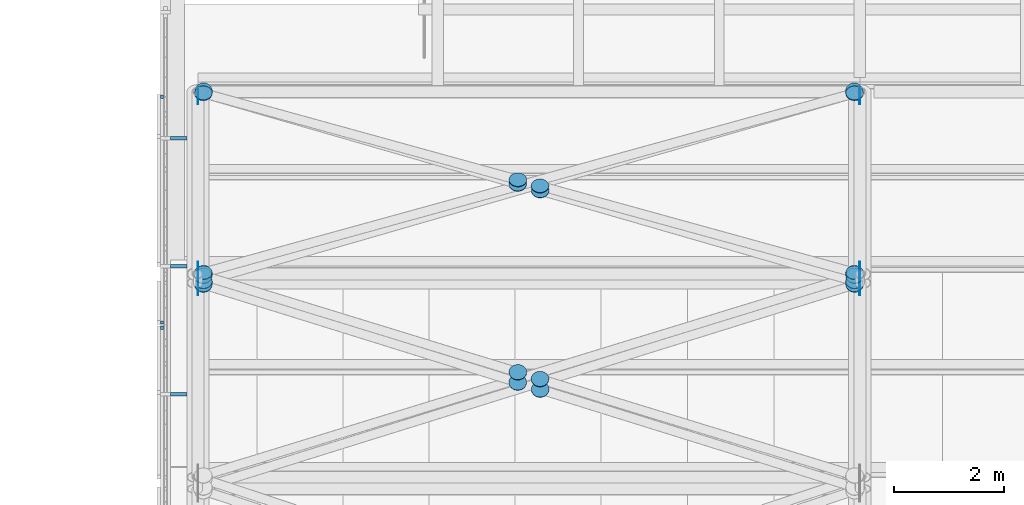
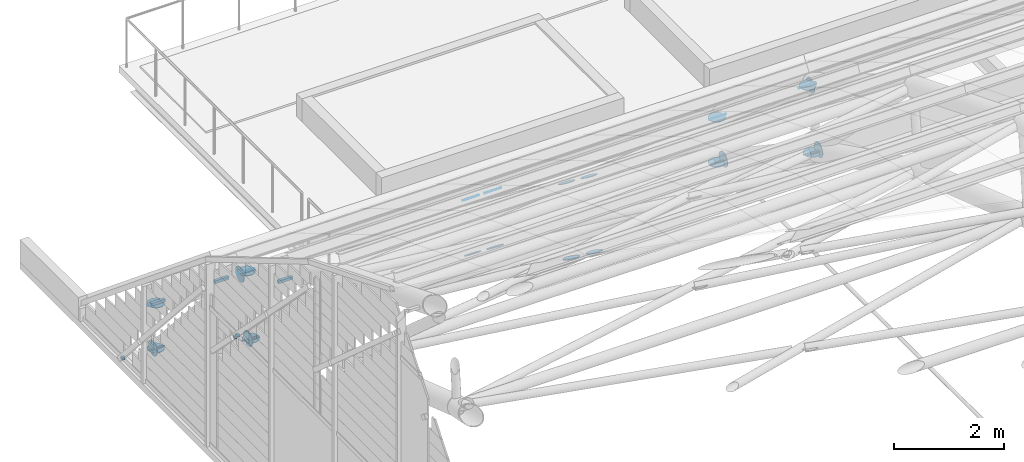
# One storey, part 91 of 110: 40 discrete accessories, 1 element without a shape of its own.
"""IFC4 building model written with IfcOpenShell, lengths in metres."""

from ifc_helpers import new_model, si_unit, direction, frame, origin, origin_2d, place, context, subcontext, project, spatial, rectangle, circle, extrude, material, layer, layer_set, type_object, element, aggregate, save


model = new_model("IFC4")

# Units and contexts
model_context = context("Model", 3, precision=1e-05, world=origin(), true_north=direction((0.0, 1.0)))
body_context = subcontext(model_context, "Body", "Model", "MODEL_VIEW")
ifc_project = project(units=[si_unit("LENGTHUNIT", "METRE"), si_unit("AREAUNIT", "SQUARE_METRE"), si_unit("VOLUMEUNIT", "CUBIC_METRE"), si_unit("PLANEANGLEUNIT", "RADIAN"), si_unit("MASSUNIT", "GRAM", prefix="KILO")], contexts=[model_context])

# Site, building, storey
site_placement = place(None, origin())
site = spatial("IfcSite", under=ifc_project, at=site_placement, CompositionType="ELEMENT")
building_placement = place(site_placement, origin())
building = spatial("IfcBuilding", under=site, at=building_placement, Name="Windward Yard Aquatics Centre", CompositionType="ELEMENT")
storey_placement = place(building_placement, frame((0.0, 0.0, 22.60009765625)))
storey = spatial("IfcBuildingStorey", under=building, at=storey_placement, Name="L05", CompositionType="ELEMENT", Elevation=22.60009765625)

# Discrete accessories
ifc_material_1 = material(Name="Steel S355", Category="steel")
ifc_layer_1 = layer(ifc_material_1, 0.011962890625)
ifc_layer_set_1 = layer_set([ifc_layer_1], Name="Gusset plate 320 mm disc 12 mm")
discrete_accessory_type = type_object("IfcDiscreteAccessoryType", Name="Gusset plate 320 mm disc 12 mm", PredefinedType="USERDEFINED", material=ifc_layer_set_1)
for number, where, z_axis, x_axis, name in (
    (1, (59.993896484375, 76.865234375, 2.390869140625), (1.0, 0.0, 0.0), (0.0, 1.0, 0.0), "Gusset plate"),
    (2, (59.993896484375, 77.158935546875, 3.64306640625), (1.0, 0.0, 0.0), (0.0, 1.0, 0.0), "Gusset plate"),
    (3, (59.993896484375, 80.33349609375, 0.07470703125), (1.0, 0.0, 0.0), (0.0, 1.0, 0.0), "Gusset plate"),
    (4, (71.993896484375, 76.865234375, 2.390869140625), (1.0, 0.0, 0.0), (0.0, 1.0, 0.0), "Gusset plate"),
    (5, (71.993896484375, 77.158935546875, 3.64306640625), (1.0, 0.0, 0.0), (0.0, 1.0, 0.0), "Gusset plate"),
    (6, (71.993896484375, 80.33349609375, 0.07470703125), (1.0, 0.0, 0.0), (0.0, 1.0, 0.0), "Gusset plate"),
):
    element("IfcDiscreteAccessory", number, at=place(storey_placement, frame(where, z_axis=z_axis, x_axis=x_axis)), inside=storey, type_object=discrete_accessory_type, Name=name, ObjectType="GUSSET PLATE", PredefinedType="USERDEFINED", context=body_context, shape_type="SweptSolid", body=[
        extrude(circle(Radius=0.159912109375, at=origin_2d()), origin(), (0.0, 0.0, 1.0), 0.01220703125),
    ])
for number, where, z_axis, x_axis, name in (
    (7, (60.10009765625, 77.092529296875, 3.7119140625), (0.0, 0.0, 1.0), (1.0, 0.0, 0.0), "Gusset plate"),
    (8, (71.89990234375, 77.092529296875, 3.7119140625), (0.0, 0.0, 1.0), (1.0, 0.0, 0.0), "Gusset plate"),
    (9, (60.10009765625, 80.39990234375, 0.993896484375), (0.0, 0.0, 1.0), (1.0, 0.0, 0.0), "Gusset plate"),
    (10, (71.89990234375, 80.39990234375, 0.993896484375), (0.0, 0.0, 1.0), (1.0, 0.0, 0.0), "Gusset plate"),
):
    element("IfcDiscreteAccessory", number, at=place(storey_placement, frame(where, z_axis=z_axis, x_axis=x_axis)), inside=storey, type_object=discrete_accessory_type, Name=name, ObjectType="GUSSET PLATE", PredefinedType="USERDEFINED", context=body_context, shape_type="SweptSolid", body=[
        extrude(circle(Radius=0.159912109375, at=origin_2d()), origin(), (0.0, 0.0, 1.0), 0.011962890625),
    ])
for number, where, z_axis, x_axis, name in (
    (11, (71.90576171875, 77.066650390625, 3.740234375), (0.0, -0.502620457375, -0.864507186684), (1.0, 0.0, 0.0), "Gusset plate"),
    (12, (60.09423828125, 77.066650390625, 3.740234375), (0.0, -0.502620457375, -0.864507186684), (1.0, 0.0, 0.0), "Gusset plate"),
):
    element("IfcDiscreteAccessory", number, at=place(storey_placement, frame(where, z_axis=z_axis, x_axis=x_axis)), inside=storey, type_object=discrete_accessory_type, Name=name, ObjectType="GUSSET PLATE", PredefinedType="USERDEFINED", context=body_context, shape_type="SweptSolid", body=[
        extrude(circle(Radius=0.159912109375, at=origin_2d()), origin(), (0.0, 0.0, 1.0), 0.01220703125),
    ])
discrete_accessory_1_placement = place(storey_placement, frame((65.79931640625, 75.315673828125, 4.77783203125), z_axis=(0.0, -0.511483859768, -0.85929288441), x_axis=(1.0, 0.0, 0.0)))
element("IfcDiscreteAccessory", 13, at=discrete_accessory_1_placement, inside=storey, type_object=discrete_accessory_type, Name="Gusset plate", ObjectType="GUSSET PLATE", PredefinedType="USERDEFINED", context=body_context, shape_type="SweptSolid", body=[
    extrude(circle(Radius=0.159912109375, at=origin_2d()), origin(), (0.0, 0.0, 1.0), 0.011962890625),
])
for number, where, z_axis, x_axis, name in (
    (14, (66.20068359375, 75.192626953125, 4.850830078125), (0.0, -0.502620457375, -0.864507186684), (1.0, 0.0, 0.0), "Gusset plate"),
    (15, (60.09423828125, 77.122314453125, 3.701171875), (0.0, -0.644135745783, -0.764911198117), (1.0, 0.0, 0.0), "Gusset plate"),
    (16, (71.90576171875, 80.3779296875, 1.02587890625), (0.0, -0.644135745783, -0.764911198117), (1.0, 0.0, 0.0), "Gusset plate"),
    (17, (60.09423828125, 80.3779296875, 1.02587890625), (0.0, -0.644135745783, -0.764911198117), (1.0, 0.0, 0.0), "Gusset plate"),
    (18, (65.79931640625, 78.805419921875, 2.318115234375), (0.0, -0.644135745783, -0.764911198117), (1.0, 0.0, 0.0), "Gusset plate"),
):
    element("IfcDiscreteAccessory", number, at=place(storey_placement, frame(where, z_axis=z_axis, x_axis=x_axis)), inside=storey, type_object=discrete_accessory_type, Name=name, ObjectType="GUSSET PLATE", PredefinedType="USERDEFINED", context=body_context, shape_type="SweptSolid", body=[
        extrude(circle(Radius=0.159912109375, at=origin_2d()), origin(), (0.0, 0.0, 1.0), 0.01220703125),
    ])
discrete_accessory_2_placement = place(storey_placement, frame((66.20068359375, 78.69482421875, 2.408935546875), z_axis=(0.0, -0.632126727472, -0.774865020772), x_axis=(1.0, 0.0, 0.0)))
element("IfcDiscreteAccessory", 19, at=discrete_accessory_2_placement, inside=storey, type_object=discrete_accessory_type, Name="Gusset plate", ObjectType="GUSSET PLATE", PredefinedType="USERDEFINED", context=body_context, shape_type="SweptSolid", body=[
    extrude(circle(Radius=0.159912109375, at=origin_2d()), origin(), (0.0, 0.0, 1.0), 0.011962890625),
])
discrete_accessory_3_placement = place(storey_placement, frame((71.90576171875, 77.122314453125, 3.701171875), z_axis=(0.0, -0.644135745783, -0.764911198117), x_axis=(1.0, 0.0, 0.0)))
element("IfcDiscreteAccessory", 20, at=discrete_accessory_3_placement, inside=storey, type_object=discrete_accessory_type, Name="Gusset plate", ObjectType="GUSSET PLATE", PredefinedType="USERDEFINED", context=body_context, shape_type="SweptSolid", body=[
    extrude(circle(Radius=0.159912109375, at=origin_2d()), origin(), (0.0, 0.0, 1.0), 0.01220703125),
])
for number, where, z_axis, x_axis, name in (
    (21, (60.10009765625, 76.935302734375, 2.313720703125), (0.0, 0.0, 1.0), (1.0, 0.0, 0.0), "Gusset plate"),
    (22, (71.89990234375, 76.935302734375, 2.313720703125), (0.0, 0.0, 1.0), (1.0, 0.0, 0.0), "Gusset plate"),
    (23, (60.10009765625, 80.39990234375, -0.006103515625), (0.0, 0.0, 1.0), (1.0, 0.0, 0.0), "Gusset plate"),
    (24, (71.89990234375, 80.39990234375, -0.006103515625), (0.0, 0.0, 1.0), (1.0, 0.0, 0.0), "Gusset plate"),
    (25, (71.905517578125, 76.90869140625, 2.339599609375), (0.0, -0.4472135955, -0.894427191), (1.0, 0.0, 0.0), "Gusset plate"),
    (26, (60.094482421875, 76.90869140625, 2.339599609375), (0.0, -0.4472135955, -0.894427191), (1.0, 0.0, 0.0), "Gusset plate"),
    (27, (65.796142578125, 75.13232421875, 3.217041015625), (0.0, -0.430729586215, -0.902481037784), (1.0, 0.0, 0.0), "Gusset plate"),
    (28, (66.203857421875, 75.00537109375, 3.27978515625), (0.0, -0.430729586215, -0.902481037784), (1.0, 0.0, 0.0), "Gusset plate"),
):
    element("IfcDiscreteAccessory", number, at=place(storey_placement, frame(where, z_axis=z_axis, x_axis=x_axis)), inside=storey, type_object=discrete_accessory_type, Name=name, ObjectType="GUSSET PLATE", PredefinedType="USERDEFINED", context=body_context, shape_type="SweptSolid", body=[
        extrude(circle(Radius=0.159912109375, at=origin_2d()), origin(), (0.0, 0.0, 1.0), 0.011962890625),
    ])
discrete_accessory_4_placement = place(storey_placement, frame((60.094482421875, 76.966064453125, 2.306396484375), z_axis=(0.0, -0.563961646158, -0.825800981874), x_axis=(1.0, 0.0, 0.0)))
element("IfcDiscreteAccessory", 29, at=discrete_accessory_4_placement, inside=storey, type_object=discrete_accessory_type, Name="Gusset plate", ObjectType="GUSSET PLATE", PredefinedType="USERDEFINED", context=body_context, shape_type="SweptSolid", body=[
    extrude(circle(Radius=0.159912109375, at=origin_2d()), origin(), (0.0, 0.0, 1.0), 0.01220703125),
])
for number, where, z_axis, x_axis, name in (
    (30, (71.905517578125, 80.3759765625, 0.023193359375), (0.0, -0.549990569516, -0.83517086482), (1.0, 0.0, 0.0), "Gusset plate"),
    (31, (60.094482421875, 80.3759765625, 0.023193359375), (0.0, -0.549990569516, -0.83517086482), (1.0, 0.0, 0.0), "Gusset plate"),
    (32, (65.796142578125, 78.72998046875, 1.125244140625), (0.0, -0.573462344363, -0.819231920519), (1.0, 0.0, 0.0), "Gusset plate"),
):
    element("IfcDiscreteAccessory", number, at=place(storey_placement, frame(where, z_axis=z_axis, x_axis=x_axis)), inside=storey, type_object=discrete_accessory_type, Name=name, ObjectType="GUSSET PLATE", PredefinedType="USERDEFINED", context=body_context, shape_type="SweptSolid", body=[
        extrude(circle(Radius=0.159912109375, at=origin_2d()), origin(), (0.0, 0.0, 1.0), 0.011962890625),
    ])
for number, where, z_axis, x_axis, name in (
    (33, (66.203857421875, 78.6123046875, 1.2041015625), (0.0, -0.563961646158, -0.825800981874), (1.0, 0.0, 0.0), "Gusset plate"),
    (34, (71.905517578125, 76.966064453125, 2.306396484375), (0.0, -0.563961646158, -0.825800981874), (1.0, 0.0, 0.0), "Gusset plate"),
):
    element("IfcDiscreteAccessory", number, at=place(storey_placement, frame(where, z_axis=z_axis, x_axis=x_axis)), inside=storey, type_object=discrete_accessory_type, Name=name, ObjectType="GUSSET PLATE", PredefinedType="USERDEFINED", context=body_context, shape_type="SweptSolid", body=[
        extrude(circle(Radius=0.159912109375, at=origin_2d()), origin(), (0.0, 0.0, 1.0), 0.01220703125),
    ])

# Curtain wall, discrete accessories
ifc_material_2 = material(Name="Glass and aluminium curtain wall", Category="aluminium")
ifc_layer_2 = layer(ifc_material_2, 0.179931640625)
ifc_layer_set_2 = layer_set([ifc_layer_2], Name="H gable glazing system double glazed 8+16+8")
curtain_wall_type = type_object("IfcCurtainWallType", Name="H gable glazing system double glazed 8+16+8", PredefinedType="NOTDEFINED", material=ifc_layer_set_2)
curtain_wall_placement = place(storey_placement, origin())
curtain_wall = element("IfcCurtainWall", 35, at=curtain_wall_placement, inside=storey, type_object=curtain_wall_type, Name="Gable glazing W", PredefinedType="NOTDEFINED")
discrete_accessory_5_placement = place(storey_placement, frame((59.37744140625, 76.117919921875, 3.14990234375), z_axis=(-1.0, 0.0, 0.0), x_axis=(0.0, -1.0, 0.0)))
discrete_accessory_5 = element("IfcDiscreteAccessory", 36, at=discrete_accessory_5_placement, Name="Gable cover strip bracket 9.2", PredefinedType="BRACKET", context=body_context, shape_type="SweptSolid", body=[
    extrude(rectangle(XDim=0.06005859375, YDim=0.06005859375, at=origin_2d()), origin(), (0.0, 0.0, 1.0), 0.057373046875),
])
discrete_accessory_6_placement = place(storey_placement, frame((59.37744140625, 76.21630859375, 3.0498046875), z_axis=(-1.0, 0.0, 0.0), x_axis=(0.0, -1.0, 0.0)))
discrete_accessory_6 = element("IfcDiscreteAccessory", 37, at=discrete_accessory_6_placement, Name="Gable cover strip bracket 9.3", PredefinedType="BRACKET", context=body_context, shape_type="SweptSolid", body=[
    extrude(rectangle(XDim=0.06005859375, YDim=0.06005859375, at=origin_2d()), origin(), (0.0, 0.0, 1.0), 0.057373046875),
])
discrete_accessory_7_placement = place(storey_placement, frame((59.37744140625, 80.31103515625, 0.099853515625), z_axis=(-1.0, 0.0, 0.0), x_axis=(0.0, -1.0, 0.0)))
discrete_accessory_7 = element("IfcDiscreteAccessory", 38, at=discrete_accessory_7_placement, Name="Gable cover strip bracket 10.3", PredefinedType="BRACKET", context=body_context, shape_type="SweptSolid", body=[
    extrude(rectangle(XDim=0.06005859375, YDim=0.06005859375, at=origin_2d()), origin(), (0.0, 0.0, 1.0), 0.057373046875),
])
discrete_accessory_8_placement = place(storey_placement, frame((59.5, 74.91552734375, 5.008056640625), z_axis=(1.0, 0.0, 0.0), x_axis=(0.0, 1.0, 0.0)))
discrete_accessory_8 = element("IfcDiscreteAccessory", 39, at=discrete_accessory_8_placement, Name="Gable glazing bracket 16", PredefinedType="BRACKET", context=body_context, shape_type="SweptSolid", body=[
    extrude(rectangle(XDim=0.06005859375, YDim=0.06005859375, at=origin_2d()), origin(), (0.0, 0.0, 1.0), 0.296875),
])
discrete_accessory_9_placement = place(storey_placement, frame((59.5, 77.234619140625, 3.60107421875), z_axis=(1.0, 0.0, 0.0), x_axis=(0.0, 1.0, 0.0)))
discrete_accessory_9 = element("IfcDiscreteAccessory", 40, at=discrete_accessory_9_placement, Name="Gable glazing bracket 17", PredefinedType="BRACKET", context=body_context, shape_type="SweptSolid", body=[
    extrude(rectangle(XDim=0.06005859375, YDim=0.06005859375, at=origin_2d()), origin(), (0.0, 0.0, 1.0), 0.296875),
])
discrete_accessory_10_placement = place(storey_placement, frame((59.5, 79.553955078125, 1.695068359375), z_axis=(1.0, 0.0, 0.0), x_axis=(0.0, 1.0, 0.0)))
discrete_accessory_10 = element("IfcDiscreteAccessory", 41, at=discrete_accessory_10_placement, Name="Gable glazing bracket 18", PredefinedType="BRACKET", context=body_context, shape_type="SweptSolid", body=[
    extrude(rectangle(XDim=0.06005859375, YDim=0.06005859375, at=origin_2d()), origin(), (0.0, 0.0, 1.0), 0.296875),
])
aggregate(curtain_wall, [discrete_accessory_5, discrete_accessory_6, discrete_accessory_7, discrete_accessory_8, discrete_accessory_9, discrete_accessory_10])

save(model, "model.ifc")
